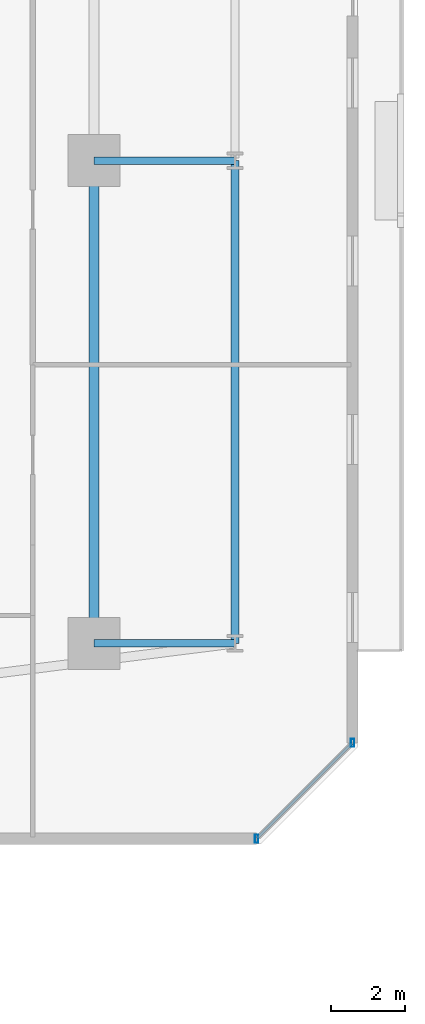
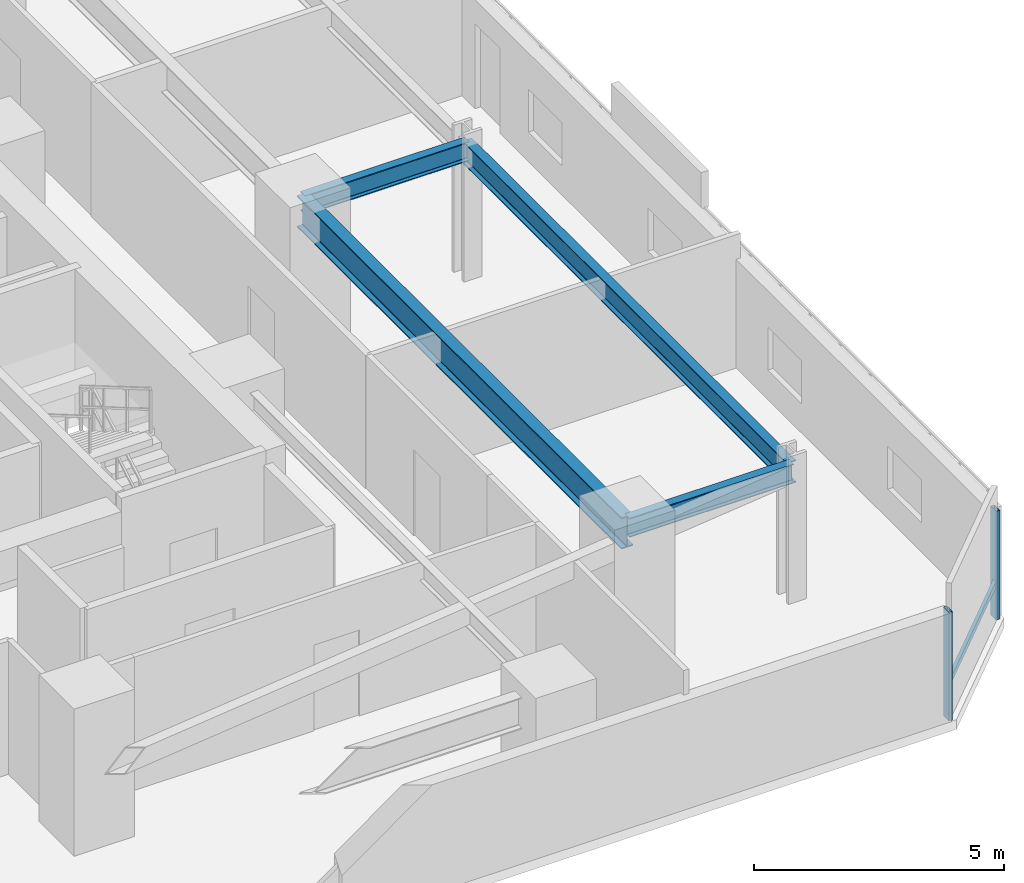
# One storey, part 15 of 36: 4 beams, 3 members, 1 element without a shape of its own.
"""IFC4 building model written with IfcOpenShell, lengths in metres."""

from ifc_helpers import new_model, si_unit, direction, frame, origin, origin_2d, place, context, subcontext, project, spatial, hollow_rectangle, i_section, extrude, material, material_profile, profile_set, type_object, element, aggregate, save


model = new_model("IFC4")

# Units and contexts
model_context = context("Model", 3, precision=1e-05, world=origin(), true_north=direction((0.0, 1.0)))
body_context = subcontext(model_context, "Body", "Model", "MODEL_VIEW")
ifc_project = project(units=[si_unit("LENGTHUNIT", "METRE"), si_unit("AREAUNIT", "SQUARE_METRE"), si_unit("VOLUMEUNIT", "CUBIC_METRE"), si_unit("PLANEANGLEUNIT", "RADIAN"), si_unit("MASSUNIT", "GRAM", prefix="KILO")], contexts=[model_context])

# Site, building, storey
site_placement = place(None, origin())
site = spatial("IfcSite", under=ifc_project, at=site_placement, CompositionType="ELEMENT")
building_placement = place(site_placement, origin())
building = spatial("IfcBuilding", under=site, at=building_placement, Name="Thornwick Lancets Civic Towers", CompositionType="ELEMENT")
storey_placement = place(building_placement, frame((0.0, 0.0, 68.10009765625)))
storey = spatial("IfcBuildingStorey", under=building, at=storey_placement, Name="L17", CompositionType="ELEMENT", Elevation=68.10009765625)

# Beams
ifc_material_1 = material(Name="Steel S355JR", Category="steel")
ifc_material_profile_1 = material_profile(ifc_material_1, i_section(OverallWidth=0.2119140625, OverallDepth=0.54443359375, WebThickness=0.0126953125, FlangeThickness=0.021240234375, FilletRadius=0.0126953125, at=origin_2d()), Name="UKB 533x210x122")
ifc_profile_set_1 = profile_set([ifc_material_profile_1], Name="Steel S355JR")
beam_type_1 = type_object("IfcBeamType", Name="BM_EDGE_533_122", PredefinedType="SPANDREL", material=ifc_profile_set_1)
beam_1_placement = place(storey_placement, frame((109.60009765625, 14.0, 3.007568359375), z_axis=(0.0, 1.0, 0.0), x_axis=(-1.0, 0.0, 0.0)))
element("IfcBeam", 1, at=beam_1_placement, inside=storey, type_object=beam_type_1, Name="BM-EDGE-L17-B-S0-1", PredefinedType="SPANDREL", context=body_context, shape_type="SweptSolid", body=[
    extrude(i_section(OverallWidth=0.2119140625, OverallDepth=0.54443359375, WebThickness=0.0126953125, FlangeThickness=0.021240234375, FilletRadius=0.0126953125, at=origin_2d()), origin(), (0.0, 0.0, 1.0), 13.0),
])
ifc_material_profile_2 = material_profile(ifc_material_1, i_section(OverallWidth=0.26806640625, OverallDepth=0.769775390625, WebThickness=0.015625, FlangeThickness=0.025390625, FilletRadius=0.0166015625, at=origin_2d()), Name="UKB 762x267x197")
ifc_profile_set_2 = profile_set([ifc_material_profile_2], Name="Steel S355JR")
beam_type_2 = type_object("IfcBeamType", Name="BM_GIRD_762_197", PredefinedType="BEAM", material=ifc_profile_set_2)
beam_2_placement = place(storey_placement, frame((105.800048828125, 14.0, 2.89501953125), z_axis=(0.0, 1.0, 0.0), x_axis=(-1.0, 0.0, 0.0)))
element("IfcBeam", 2, at=beam_2_placement, inside=storey, type_object=beam_type_2, Name="BM-SPINE-L17-B-0-1", PredefinedType="BEAM", context=body_context, shape_type="SweptSolid", body=[
    extrude(i_section(OverallWidth=0.26806640625, OverallDepth=0.769775390625, WebThickness=0.015625, FlangeThickness=0.025390625, FilletRadius=0.0166015625, at=origin_2d()), origin(), (0.0, 0.0, 1.0), 13.0),
])
ifc_material_profile_3 = material_profile(ifc_material_1, i_section(OverallWidth=0.19287109375, OverallDepth=0.46728515625, WebThickness=0.011474609375, FlangeThickness=0.01953125, FilletRadius=0.01025390625, at=origin_2d()), Name="UKB 457x191x98")
ifc_profile_set_3 = profile_set([ifc_material_profile_3], Name="Steel S355JR")
beam_type_3 = type_object("IfcBeamType", Name="BM_JOIST_457_98", PredefinedType="JOIST", material=ifc_profile_set_3)
for number, where, z_axis, x_axis, name in (
    (3, (105.800048828125, 14.0, 3.04638671875), (1.0, 0.0, 0.0), (0.0, 1.0, 0.0), "BM-RAD-L17-B01"),
    (4, (105.800048828125, 27.0, 3.04638671875), (1.0, 0.0, 0.0), (0.0, 1.0, 0.0), "BM-RAD-L17-B02"),
):
    element("IfcBeam", number, at=place(storey_placement, frame(where, z_axis=z_axis, x_axis=x_axis)), inside=storey, type_object=beam_type_3, Name=name, PredefinedType="JOIST", context=body_context, shape_type="SweptSolid", body=[
        extrude(i_section(OverallWidth=0.19287109375, OverallDepth=0.46728515625, WebThickness=0.011474609375, FlangeThickness=0.01953125, FilletRadius=0.01025390625, at=origin_2d()), origin(), (0.0, 0.0, 1.0), 3.800048828125),
    ])

# Curtain wall, members
ifc_material_2 = material(Name="Low-zone chamfered-corner unitised glass curtain wall", Category="glass")
curtain_wall_type = type_object("IfcCurtainWallType", Name="CW_SYS_03", PredefinedType="NOTDEFINED", material=ifc_material_2)
curtain_wall_placement = place(storey_placement, origin())
curtain_wall = element("IfcCurtainWall", 5, at=curtain_wall_placement, inside=storey, type_object=curtain_wall_type, Name="L17 Curtain Wall CW-L17-B-E1", PredefinedType="NOTDEFINED")
ifc_material_3 = material(Name="Thermally broken bronze aluminium S355", Category="steel")
ifc_material_profile_4 = material_profile(ifc_material_3, hollow_rectangle(XDim=0.090087890625, YDim=0.219970703125, WallThickness=0.00634765625, at=origin_2d()), Name="RHS 220x90x6.3")
ifc_profile_set_4 = profile_set([ifc_material_profile_4], Name="Thermally broken bronze aluminium S355")
member_type_1 = type_object("IfcMemberType", Name="CW_MUL_220", PredefinedType="MULLION", material=ifc_profile_set_4)
member_1_placement = place(storey_placement, frame((110.18115234375, 8.735107421875, 0.0), z_axis=(0.0, 0.0, 1.0), x_axis=(1.0, 0.0, 0.0)))
member_1 = element("IfcMember", 6, at=member_1_placement, type_object=member_type_1, Name="CW-L17-B-E1 Mullion 0", PredefinedType="MULLION", context=body_context, shape_type="SweptSolid", body=[
    extrude(hollow_rectangle(XDim=0.090087890625, YDim=0.219970703125, WallThickness=0.00634765625, at=origin_2d()), origin(), (0.0, 0.0, 1.0), 2.659912109375),
])
member_2_placement = place(storey_placement, frame((112.764892578125, 11.31884765625, 0.0), z_axis=(0.0, 0.0, 1.0), x_axis=(1.0, 0.0, 0.0)))
member_2 = element("IfcMember", 7, at=member_2_placement, type_object=member_type_1, Name="CW-L17-B-E1 Mullion 1", PredefinedType="MULLION", context=body_context, shape_type="SweptSolid", body=[
    extrude(hollow_rectangle(XDim=0.090087890625, YDim=0.219970703125, WallThickness=0.00634765625, at=origin_2d()), origin(), (0.0, 0.0, 1.0), 2.659912109375),
])
ifc_material_profile_5 = material_profile(ifc_material_3, hollow_rectangle(XDim=0.074951171875, YDim=0.14990234375, WallThickness=0.0048828125, at=origin_2d()), Name="RHS 150x75x5")
ifc_profile_set_5 = profile_set([ifc_material_profile_5], Name="Thermally broken bronze aluminium S355")
member_type_2 = type_object("IfcMemberType", Name="CW_TRN_150", PredefinedType="USERDEFINED", material=ifc_profile_set_5)
member_3_placement = place(storey_placement, frame((110.1953125, 8.749267578125, 0.849853515625), z_axis=(0.707106781187, 0.707106781187, 0.0), x_axis=(-0.707106781187, 0.707106781187, 0.0)))
member_3 = element("IfcMember", 8, at=member_3_placement, type_object=member_type_2, Name="CW-L17-B-E1 Transom 0", ObjectType="TRANSOM", PredefinedType="USERDEFINED", context=body_context, shape_type="SweptSolid", body=[
    extrude(hollow_rectangle(XDim=0.074951171875, YDim=0.14990234375, WallThickness=0.0048828125, at=origin_2d()), origin(), (0.0, 0.0, 1.0), 3.614013671875),
])
aggregate(curtain_wall, [member_1, member_2, member_3])

save(model, "model.ifc")
